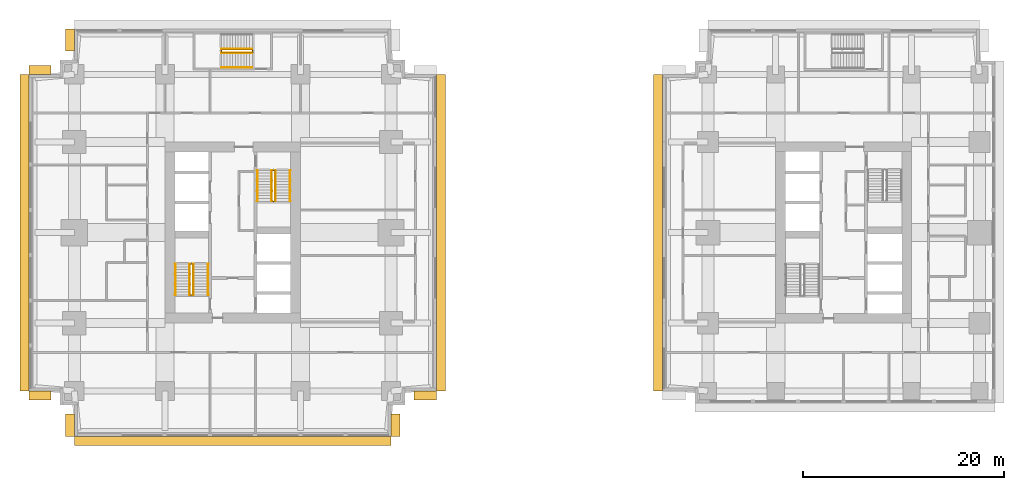
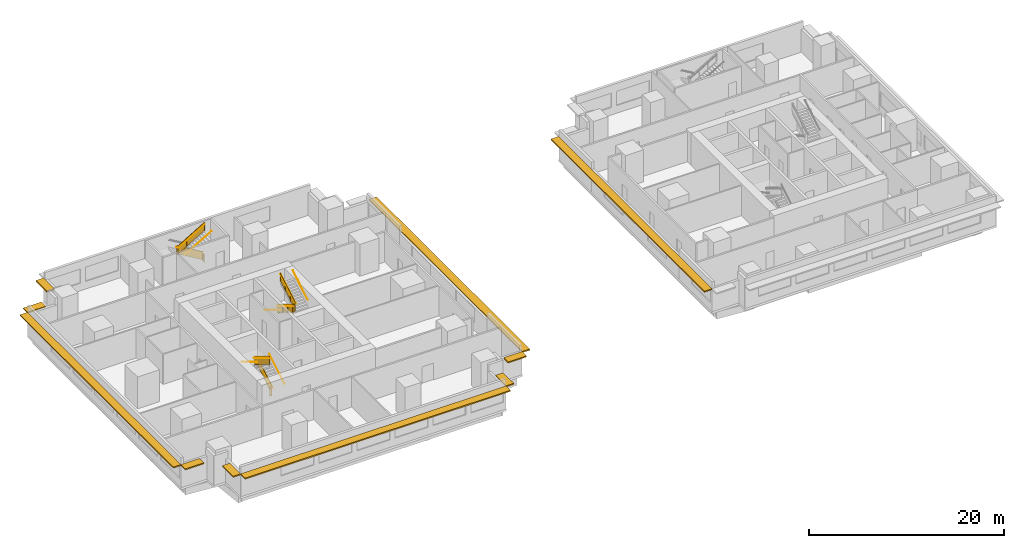
# One storey, part 9 of 11: 14 railings, 10 shading devices.
"""IFC4 building model written with IfcOpenShell, lengths in metres."""

from ifc_helpers import new_model, si_unit, direction, frame, origin, origin_2d, place, context, subcontext, project, spatial, polyline, rectangle, circle, outline, extrude, material, layer, layer_set, type_object, element, save


model = new_model("IFC4")

# Units and contexts
model_context = context("Model", 3, precision=1e-05, world=origin(), true_north=direction((0.0, 1.0)))
body_context = subcontext(model_context, "Body", "Model", "MODEL_VIEW")
ifc_project = project(units=[si_unit("LENGTHUNIT", "METRE"), si_unit("AREAUNIT", "SQUARE_METRE"), si_unit("VOLUMEUNIT", "CUBIC_METRE"), si_unit("PLANEANGLEUNIT", "RADIAN"), si_unit("MASSUNIT", "GRAM", prefix="KILO")], contexts=[model_context])

# Site, building, storey
site_placement = place(None, origin())
site = spatial("IfcSite", under=ifc_project, at=site_placement, CompositionType="ELEMENT")
building_placement = place(site_placement, origin())
building = spatial("IfcBuilding", under=site, at=building_placement, Name="Namib Vertical Campus", CompositionType="ELEMENT")
storey_placement = place(building_placement, frame((0.0, 0.0, 101.0)))
storey = spatial("IfcBuildingStorey", under=building, at=storey_placement, Name="L23", CompositionType="ELEMENT", Elevation=101.0)

# Railings
ifc_material_1 = material(Name="Steel handrail", Category="steel")
railing_type_1 = type_object("IfcRailingType", Name="Handrail 900", PredefinedType="HANDRAIL", material=ifc_material_1)
railing_1_placement = place(storey_placement, frame((17.800048828125, 14.050048828125, 0.166748046875)))
element("IfcRailing", 1, at=railing_1_placement, inside=storey, type_object=railing_type_1, Name="Handrail HR1 A-S1 L23 1", PredefinedType="HANDRAIL", context=body_context, shape_type="SweptSolid", body=[
    extrude(circle(Radius=0.02392578125, at=origin_2d()), frame((0.0, 0.0, 0.8759765625), z_axis=(0.0, 0.859290745958, 0.51148745235), x_axis=(-1.0, 0.0, 0.0)), (0.0, 0.0, 1.0), 3.584228515625),
    extrude(circle(Radius=0.008056640625, at=origin_2d()), frame((0.0, 0.0, 0.8759765625), z_axis=(1.0, 0.0, 0.0), x_axis=(0.0, 0.0, 1.0)), (0.0, 0.0, 1.0), 0.050048828125),
    extrude(circle(Radius=0.008056640625, at=origin_2d()), frame((0.0, 1.026611328125, 1.48681640625), z_axis=(1.0, 0.0, 0.0), x_axis=(0.0, 0.0, 1.0)), (0.0, 0.0, 1.0), 0.050048828125),
    extrude(circle(Radius=0.008056640625, at=origin_2d()), frame((0.0, 2.05322265625, 2.09814453125), z_axis=(1.0, 0.0, 0.0), x_axis=(0.0, 0.0, 1.0)), (0.0, 0.0, 1.0), 0.050048828125),
    extrude(circle(Radius=0.008056640625, at=origin_2d()), frame((0.0, 3.079833984375, 2.708984375), z_axis=(1.0, 0.0, 0.0), x_axis=(0.0, 0.0, 1.0)), (0.0, 0.0, 1.0), 0.050048828125),
])
railing_2_placement = place(storey_placement, frame((14.550048828125, 17.1298828125, 2.166748046875)))
element("IfcRailing", 2, at=railing_2_placement, inside=storey, type_object=railing_type_1, Name="Handrail HR1 A-S1 L23 2", PredefinedType="HANDRAIL", context=body_context, shape_type="SweptSolid", body=[
    extrude(circle(Radius=0.02392578125, at=origin_2d()), frame((0.0, 0.0, 0.8759765625), z_axis=(0.0, -0.859290745958, 0.51148745235), x_axis=(1.0, 0.0, 0.0)), (0.0, 0.0, 1.0), 3.584228515625),
    extrude(circle(Radius=0.008056640625, at=origin_2d()), frame((0.0, 0.0, 0.8759765625), z_axis=(-1.0, 0.0, 0.0), x_axis=(0.0, 0.0, 1.0)), (0.0, 0.0, 1.0), 0.050048828125),
    extrude(circle(Radius=0.008056640625, at=origin_2d()), frame((0.0, -1.026611328125, 1.48681640625), z_axis=(-1.0, 0.0, 0.0), x_axis=(0.0, 0.0, 1.0)), (0.0, 0.0, 1.0), 0.050048828125),
    extrude(circle(Radius=0.008056640625, at=origin_2d()), frame((0.0, -2.05322265625, 2.09814453125), z_axis=(-1.0, 0.0, 0.0), x_axis=(0.0, 0.0, 1.0)), (0.0, 0.0, 1.0), 0.050048828125),
    extrude(circle(Radius=0.008056640625, at=origin_2d()), frame((0.0, -3.079833984375, 2.708984375), z_axis=(-1.0, 0.0, 0.0), x_axis=(0.0, 0.0, 1.0)), (0.0, 0.0, 1.0), 0.050048828125),
])
railing_3_placement = place(storey_placement, frame((16.375, 14.050048828125, 0.166748046875)))
element("IfcRailing", 3, at=railing_3_placement, inside=storey, type_object=railing_type_1, Name="Handrail HR1 A-S1 L23 1 at the well", PredefinedType="HANDRAIL", context=body_context, shape_type="SweptSolid", body=[
    extrude(circle(Radius=0.02392578125, at=origin_2d()), frame((0.0, 0.0, 0.8759765625), z_axis=(0.0, 0.859290745958, 0.51148745235), x_axis=(-1.0, 0.0, 0.0)), (0.0, 0.0, 1.0), 3.584228515625),
    extrude(circle(Radius=0.008056640625, at=origin_2d()), frame((0.0, 0.0, 0.8759765625), z_axis=(-1.0, 0.0, 0.0), x_axis=(0.0, 0.0, 1.0)), (0.0, 0.0, 1.0), 0.0400390625),
    extrude(circle(Radius=0.008056640625, at=origin_2d()), frame((0.0, 1.026611328125, 1.48681640625), z_axis=(-1.0, 0.0, 0.0), x_axis=(0.0, 0.0, 1.0)), (0.0, 0.0, 1.0), 0.0400390625),
    extrude(circle(Radius=0.008056640625, at=origin_2d()), frame((0.0, 2.05322265625, 2.09814453125), z_axis=(-1.0, 0.0, 0.0), x_axis=(0.0, 0.0, 1.0)), (0.0, 0.0, 1.0), 0.0400390625),
    extrude(circle(Radius=0.008056640625, at=origin_2d()), frame((0.0, 3.079833984375, 2.708984375), z_axis=(-1.0, 0.0, 0.0), x_axis=(0.0, 0.0, 1.0)), (0.0, 0.0, 1.0), 0.0400390625),
])
railing_4_placement = place(storey_placement, frame((15.97509765625, 17.1298828125, 2.166748046875)))
element("IfcRailing", 4, at=railing_4_placement, inside=storey, type_object=railing_type_1, Name="Handrail HR1 A-S1 L23 2 at the well", PredefinedType="HANDRAIL", context=body_context, shape_type="SweptSolid", body=[
    extrude(circle(Radius=0.02392578125, at=origin_2d()), frame((0.0, 0.0, 0.8759765625), z_axis=(0.0, -0.859290745958, 0.51148745235), x_axis=(1.0, 0.0, 0.0)), (0.0, 0.0, 1.0), 3.584228515625),
    extrude(circle(Radius=0.008056640625, at=origin_2d()), frame((0.0, 0.0, 0.8759765625), z_axis=(1.0, 0.0, 0.0), x_axis=(0.0, 0.0, 1.0)), (0.0, 0.0, 1.0), 0.0400390625),
    extrude(circle(Radius=0.008056640625, at=origin_2d()), frame((0.0, -1.026611328125, 1.48681640625), z_axis=(1.0, 0.0, 0.0), x_axis=(0.0, 0.0, 1.0)), (0.0, 0.0, 1.0), 0.0400390625),
    extrude(circle(Radius=0.008056640625, at=origin_2d()), frame((0.0, -2.05322265625, 2.09814453125), z_axis=(1.0, 0.0, 0.0), x_axis=(0.0, 0.0, 1.0)), (0.0, 0.0, 1.0), 0.0400390625),
    extrude(circle(Radius=0.008056640625, at=origin_2d()), frame((0.0, -3.079833984375, 2.708984375), z_axis=(1.0, 0.0, 0.0), x_axis=(0.0, 0.0, 1.0)), (0.0, 0.0, 1.0), 0.0400390625),
])
railing_5_placement = place(storey_placement, frame((22.699951171875, 26.449951171875, 0.166748046875)))
element("IfcRailing", 5, at=railing_5_placement, inside=storey, type_object=railing_type_1, Name="Handrail HR1 A-S2 L23 1", PredefinedType="HANDRAIL", context=body_context, shape_type="SweptSolid", body=[
    extrude(circle(Radius=0.02392578125, at=origin_2d()), frame((0.0, 0.0, 0.8759765625), z_axis=(0.0, -0.859290745958, 0.51148745235), x_axis=(1.0, 0.0, 0.0)), (0.0, 0.0, 1.0), 3.584228515625),
    extrude(circle(Radius=0.008056640625, at=origin_2d()), frame((0.0, 0.0, 0.8759765625), z_axis=(-1.0, 0.0, 0.0), x_axis=(0.0, 0.0, 1.0)), (0.0, 0.0, 1.0), 0.050048828125),
    extrude(circle(Radius=0.008056640625, at=origin_2d()), frame((0.0, -1.026611328125, 1.48681640625), z_axis=(-1.0, 0.0, 0.0), x_axis=(0.0, 0.0, 1.0)), (0.0, 0.0, 1.0), 0.050048828125),
    extrude(circle(Radius=0.008056640625, at=origin_2d()), frame((0.0, -2.05322265625, 2.09814453125), z_axis=(-1.0, 0.0, 0.0), x_axis=(0.0, 0.0, 1.0)), (0.0, 0.0, 1.0), 0.050048828125),
    extrude(circle(Radius=0.008056640625, at=origin_2d()), frame((0.0, -3.079833984375, 2.708984375), z_axis=(-1.0, 0.0, 0.0), x_axis=(0.0, 0.0, 1.0)), (0.0, 0.0, 1.0), 0.050048828125),
])
railing_6_placement = place(storey_placement, frame((25.949951171875, 23.3701171875, 2.166748046875)))
element("IfcRailing", 6, at=railing_6_placement, inside=storey, type_object=railing_type_1, Name="Handrail HR1 A-S2 L23 2", PredefinedType="HANDRAIL", context=body_context, shape_type="SweptSolid", body=[
    extrude(circle(Radius=0.02392578125, at=origin_2d()), frame((0.0, 0.0, 0.8759765625), z_axis=(0.0, 0.859290745958, 0.51148745235), x_axis=(-1.0, 0.0, 0.0)), (0.0, 0.0, 1.0), 3.584228515625),
    extrude(circle(Radius=0.008056640625, at=origin_2d()), frame((0.0, 0.0, 0.8759765625), z_axis=(1.0, 0.0, 0.0), x_axis=(0.0, 0.0, 1.0)), (0.0, 0.0, 1.0), 0.050048828125),
    extrude(circle(Radius=0.008056640625, at=origin_2d()), frame((0.0, 1.026611328125, 1.48681640625), z_axis=(1.0, 0.0, 0.0), x_axis=(0.0, 0.0, 1.0)), (0.0, 0.0, 1.0), 0.050048828125),
    extrude(circle(Radius=0.008056640625, at=origin_2d()), frame((0.0, 2.05322265625, 2.09814453125), z_axis=(1.0, 0.0, 0.0), x_axis=(0.0, 0.0, 1.0)), (0.0, 0.0, 1.0), 0.050048828125),
    extrude(circle(Radius=0.008056640625, at=origin_2d()), frame((0.0, 3.079833984375, 2.708984375), z_axis=(1.0, 0.0, 0.0), x_axis=(0.0, 0.0, 1.0)), (0.0, 0.0, 1.0), 0.050048828125),
])
railing_7_placement = place(storey_placement, frame((24.125, 26.449951171875, 0.166748046875)))
element("IfcRailing", 7, at=railing_7_placement, inside=storey, type_object=railing_type_1, Name="Handrail HR1 A-S2 L23 1 at the well", PredefinedType="HANDRAIL", context=body_context, shape_type="SweptSolid", body=[
    extrude(circle(Radius=0.02392578125, at=origin_2d()), frame((0.0, 0.0, 0.8759765625), z_axis=(0.0, -0.859290745958, 0.51148745235), x_axis=(1.0, 0.0, 0.0)), (0.0, 0.0, 1.0), 3.584228515625),
    extrude(circle(Radius=0.008056640625, at=origin_2d()), frame((0.0, 0.0, 0.8759765625), z_axis=(1.0, 0.0, 0.0), x_axis=(0.0, 0.0, 1.0)), (0.0, 0.0, 1.0), 0.0400390625),
    extrude(circle(Radius=0.008056640625, at=origin_2d()), frame((0.0, -1.026611328125, 1.48681640625), z_axis=(1.0, 0.0, 0.0), x_axis=(0.0, 0.0, 1.0)), (0.0, 0.0, 1.0), 0.0400390625),
    extrude(circle(Radius=0.008056640625, at=origin_2d()), frame((0.0, -2.05322265625, 2.09814453125), z_axis=(1.0, 0.0, 0.0), x_axis=(0.0, 0.0, 1.0)), (0.0, 0.0, 1.0), 0.0400390625),
    extrude(circle(Radius=0.008056640625, at=origin_2d()), frame((0.0, -3.079833984375, 2.708984375), z_axis=(1.0, 0.0, 0.0), x_axis=(0.0, 0.0, 1.0)), (0.0, 0.0, 1.0), 0.0400390625),
])
railing_8_placement = place(storey_placement, frame((24.52490234375, 23.3701171875, 2.166748046875)))
element("IfcRailing", 8, at=railing_8_placement, inside=storey, type_object=railing_type_1, Name="Handrail HR1 A-S2 L23 2 at the well", PredefinedType="HANDRAIL", context=body_context, shape_type="SweptSolid", body=[
    extrude(circle(Radius=0.02392578125, at=origin_2d()), frame((0.0, 0.0, 0.8759765625), z_axis=(0.0, 0.859290745958, 0.51148745235), x_axis=(-1.0, 0.0, 0.0)), (0.0, 0.0, 1.0), 3.584228515625),
    extrude(circle(Radius=0.008056640625, at=origin_2d()), frame((0.0, 0.0, 0.8759765625), z_axis=(-1.0, 0.0, 0.0), x_axis=(0.0, 0.0, 1.0)), (0.0, 0.0, 1.0), 0.0400390625),
    extrude(circle(Radius=0.008056640625, at=origin_2d()), frame((0.0, 1.026611328125, 1.48681640625), z_axis=(-1.0, 0.0, 0.0), x_axis=(0.0, 0.0, 1.0)), (0.0, 0.0, 1.0), 0.0400390625),
    extrude(circle(Radius=0.008056640625, at=origin_2d()), frame((0.0, 2.05322265625, 2.09814453125), z_axis=(-1.0, 0.0, 0.0), x_axis=(0.0, 0.0, 1.0)), (0.0, 0.0, 1.0), 0.0400390625),
    extrude(circle(Radius=0.008056640625, at=origin_2d()), frame((0.0, 3.079833984375, 2.708984375), z_axis=(-1.0, 0.0, 0.0), x_axis=(0.0, 0.0, 1.0)), (0.0, 0.0, 1.0), 0.0400390625),
])
railing_9_placement = place(storey_placement, frame((19.1201171875, 36.699951171875, 2.166748046875)))
element("IfcRailing", 9, at=railing_9_placement, inside=storey, type_object=railing_type_1, Name="Handrail HR1 A-S3 L23 2", PredefinedType="HANDRAIL", context=body_context, shape_type="SweptSolid", body=[
    extrude(circle(Radius=0.02392578125, at=origin_2d()), frame((0.0, 0.0, 0.8759765625), z_axis=(0.859290745958, 0.0, 0.51148745235), x_axis=(0.0, 1.0, 0.0)), (0.0, 0.0, 1.0), 3.584228515625),
    extrude(circle(Radius=0.008056640625, at=origin_2d()), frame((0.0, 0.0, 0.8759765625), z_axis=(0.0, -1.0, 0.0), x_axis=(0.0, 0.0, 1.0)), (0.0, 0.0, 1.0), 0.050048828125),
    extrude(circle(Radius=0.008056640625, at=origin_2d()), frame((1.026611328125, 0.0, 1.48681640625), z_axis=(0.0, -1.0, 0.0), x_axis=(0.0, 0.0, 1.0)), (0.0, 0.0, 1.0), 0.050048828125),
    extrude(circle(Radius=0.008056640625, at=origin_2d()), frame((2.05322265625, 0.0, 2.09814453125), z_axis=(0.0, -1.0, 0.0), x_axis=(0.0, 0.0, 1.0)), (0.0, 0.0, 1.0), 0.050048828125),
    extrude(circle(Radius=0.008056640625, at=origin_2d()), frame((3.079833984375, 0.0, 2.708984375), z_axis=(0.0, -1.0, 0.0), x_axis=(0.0, 0.0, 1.0)), (0.0, 0.0, 1.0), 0.050048828125),
])
railing_10_placement = place(storey_placement, frame((22.199951171875, 38.52490234375, 0.166748046875)))
element("IfcRailing", 10, at=railing_10_placement, inside=storey, type_object=railing_type_1, Name="Handrail HR1 A-S3 L23 1 at the well", PredefinedType="HANDRAIL", context=body_context, shape_type="SweptSolid", body=[
    extrude(circle(Radius=0.02392578125, at=origin_2d()), frame((0.0, 0.0, 0.8759765625), z_axis=(-0.859290745958, 0.0, 0.51148745235), x_axis=(0.0, -1.0, 0.0)), (0.0, 0.0, 1.0), 3.584228515625),
    extrude(circle(Radius=0.008056640625, at=origin_2d()), frame((0.0, 0.0, 0.8759765625), z_axis=(0.0, -1.0, 0.0), x_axis=(0.0, 0.0, 1.0)), (0.0, 0.0, 1.0), 0.0400390625),
    extrude(circle(Radius=0.008056640625, at=origin_2d()), frame((-1.026611328125, 0.0, 1.48681640625), z_axis=(0.0, -1.0, 0.0), x_axis=(0.0, 0.0, 1.0)), (0.0, 0.0, 1.0), 0.0400390625),
    extrude(circle(Radius=0.008056640625, at=origin_2d()), frame((-2.05322265625, 0.0, 2.09814453125), z_axis=(0.0, -1.0, 0.0), x_axis=(0.0, 0.0, 1.0)), (0.0, 0.0, 1.0), 0.0400390625),
    extrude(circle(Radius=0.008056640625, at=origin_2d()), frame((-3.079833984375, 0.0, 2.708984375), z_axis=(0.0, -1.0, 0.0), x_axis=(0.0, 0.0, 1.0)), (0.0, 0.0, 1.0), 0.0400390625),
])
railing_11_placement = place(storey_placement, frame((19.1201171875, 38.125, 2.166748046875)))
element("IfcRailing", 11, at=railing_11_placement, inside=storey, type_object=railing_type_1, Name="Handrail HR1 A-S3 L23 2 at the well", PredefinedType="HANDRAIL", context=body_context, shape_type="SweptSolid", body=[
    extrude(circle(Radius=0.02392578125, at=origin_2d()), frame((0.0, 0.0, 0.8759765625), z_axis=(0.859290745958, 0.0, 0.51148745235), x_axis=(0.0, 1.0, 0.0)), (0.0, 0.0, 1.0), 3.584228515625),
    extrude(circle(Radius=0.008056640625, at=origin_2d()), frame((0.0, 0.0, 0.8759765625), z_axis=(0.0, 1.0, 0.0), x_axis=(0.0, 0.0, 1.0)), (0.0, 0.0, 1.0), 0.0400390625),
    extrude(circle(Radius=0.008056640625, at=origin_2d()), frame((1.026611328125, 0.0, 1.48681640625), z_axis=(0.0, 1.0, 0.0), x_axis=(0.0, 0.0, 1.0)), (0.0, 0.0, 1.0), 0.0400390625),
    extrude(circle(Radius=0.008056640625, at=origin_2d()), frame((2.05322265625, 0.0, 2.09814453125), z_axis=(0.0, 1.0, 0.0), x_axis=(0.0, 0.0, 1.0)), (0.0, 0.0, 1.0), 0.0400390625),
    extrude(circle(Radius=0.008056640625, at=origin_2d()), frame((3.079833984375, 0.0, 2.708984375), z_axis=(0.0, 1.0, 0.0), x_axis=(0.0, 0.0, 1.0)), (0.0, 0.0, 1.0), 0.0400390625),
])
ifc_material_2 = material(Name="Steel balustrade", Category="steel")
railing_type_2 = type_object("IfcRailingType", Name="Stair guard 1100", PredefinedType="GUARDRAIL", material=ifc_material_2)
railing_12_placement = place(storey_placement, frame((16.02490234375, 14.050048828125, 0.0)))
element("IfcRailing", 12, at=railing_12_placement, inside=storey, type_object=railing_type_2, Name="Stair guard GR1 A-S1 L23", PredefinedType="GUARDRAIL", context=body_context, shape_type="SweptSolid", body=[
    extrude(circle(Radius=0.02392578125, at=origin_2d()), frame((0.0, 0.0, 1.076171875), z_axis=(1.0, 0.0, 0.0), x_axis=(0.0, 1.0, 0.0)), (0.0, 0.0, 1.0), 0.300048828125),
    extrude(outline(polyline([(0.02099609375, 0.050048828125), (0.279052734375, 0.050048828125), (0.279052734375, 1.052001953125), (0.02099609375, 1.052001953125), (0.02099609375, 0.050048828125)])), frame((0.0, 0.010009765625, 0.0), z_axis=(0.0, -1.0, 0.0), x_axis=(1.0, 0.0, 0.0)), (0.0, 0.0, 1.0), 0.02001953125),
    extrude(circle(Radius=0.02392578125, at=origin_2d()), frame((0.300048828125, 0.0, 1.076171875), z_axis=(0.0, 0.0, 1.0), x_axis=(1.0, 0.0, 0.0)), (0.0, 0.0, 1.0), 0.166748046875),
    extrude(circle(Radius=0.02392578125, at=origin_2d()), frame((0.300048828125, 0.0, 1.24267578125), z_axis=(0.0, 0.859290745958, 0.51148745235), x_axis=(-1.0, 0.0, 0.0)), (0.0, 0.0, 1.0), 3.584228515625),
    extrude(outline(polyline([(0.02099609375, 0.0625), (3.058837890625, 1.870849609375), (3.058837890625, 2.872802734375), (0.02099609375, 1.064453125), (0.02099609375, 0.0625)])), frame((0.2900390625, 0.0, 0.166748046875), z_axis=(1.0, 0.0, 0.0), x_axis=(0.0, 1.0, 0.0)), (0.0, 0.0, 1.0), 0.02001953125),
    extrude(circle(Radius=0.02392578125, at=origin_2d()), frame((0.300048828125, 3.079833984375, 3.076171875), z_axis=(-1.0, 0.0, 0.0), x_axis=(0.0, -1.0, 0.0)), (0.0, 0.0, 1.0), 0.300048828125),
    extrude(outline(polyline([(0.02099609375, 0.050048828125), (0.279052734375, 0.050048828125), (0.279052734375, 1.052001953125), (0.02099609375, 1.052001953125), (0.02099609375, 0.050048828125)])), frame((0.300048828125, 3.06982421875, 2.0), z_axis=(0.0, 1.0, 0.0), x_axis=(-1.0, 0.0, 0.0)), (0.0, 0.0, 1.0), 0.02001953125),
    extrude(circle(Radius=0.02392578125, at=origin_2d()), frame((0.0, 3.079833984375, 3.076171875), z_axis=(0.0, 0.0, 1.0), x_axis=(1.0, 0.0, 0.0)), (0.0, 0.0, 1.0), 0.166748046875),
    extrude(circle(Radius=0.02392578125, at=origin_2d()), frame((0.0, 3.079833984375, 3.24267578125), z_axis=(0.0, -0.859290745958, 0.51148745235), x_axis=(1.0, 0.0, 0.0)), (0.0, 0.0, 1.0), 3.584228515625),
    extrude(outline(polyline([(0.02099609375, 0.0625), (3.058837890625, 1.870849609375), (3.058837890625, 2.872802734375), (0.02099609375, 1.064453125), (0.02099609375, 0.0625)])), frame((0.010009765625, 3.079833984375, 2.166748046875), z_axis=(-1.0, 0.0, 0.0), x_axis=(0.0, -1.0, 0.0)), (0.0, 0.0, 1.0), 0.02001953125),
    extrude(circle(Radius=0.02392578125, at=origin_2d()), frame((0.0, 0.0, 5.076171875), z_axis=(0.0, -1.0, 0.0), x_axis=(1.0, 0.0, 0.0)), (0.0, 0.0, 1.0), 0.050048828125),
    extrude(outline(polyline([(0.02099609375, 0.050048828125), (0.029052734375, 0.050048828125), (0.029052734375, 1.052001953125), (0.02099609375, 1.052001953125), (0.02099609375, 0.050048828125)])), frame((0.010009765625, 0.0, 4.0), z_axis=(-1.0, 0.0, 0.0), x_axis=(0.0, -1.0, 0.0)), (0.0, 0.0, 1.0), 0.02001953125),
    extrude(circle(Radius=0.02099609375, at=origin_2d()), origin(), (0.0, 0.0, 1.0), 1.052001953125),
    extrude(circle(Radius=0.02099609375, at=origin_2d()), frame((0.300048828125, 0.0, 0.166748046875)), (0.0, 0.0, 1.0), 1.052001953125),
    extrude(circle(Radius=0.02099609375, at=origin_2d()), frame((0.300048828125, 1.026611328125, 0.666748046875)), (0.0, 0.0, 1.0), 1.1630859375),
    extrude(circle(Radius=0.02099609375, at=origin_2d()), frame((0.300048828125, 2.05322265625, 1.33349609375)), (0.0, 0.0, 1.0), 1.107421875),
    extrude(circle(Radius=0.02099609375, at=origin_2d()), frame((0.300048828125, 3.079833984375, 2.0)), (0.0, 0.0, 1.0), 1.052001953125),
    extrude(circle(Radius=0.02099609375, at=origin_2d()), frame((0.0, 3.079833984375, 2.166748046875)), (0.0, 0.0, 1.0), 1.052001953125),
    extrude(circle(Radius=0.02099609375, at=origin_2d()), frame((0.0, 2.05322265625, 2.666748046875)), (0.0, 0.0, 1.0), 1.1630859375),
    extrude(circle(Radius=0.02099609375, at=origin_2d()), frame((0.0, 1.026611328125, 3.33349609375)), (0.0, 0.0, 1.0), 1.107421875),
    extrude(circle(Radius=0.02099609375, at=origin_2d()), frame((0.0, 0.0, 4.0)), (0.0, 0.0, 1.0), 1.052001953125),
    extrude(circle(Radius=0.02099609375, at=origin_2d()), frame((0.0, -0.050048828125, 4.0)), (0.0, 0.0, 1.0), 1.052001953125),
])
railing_13_placement = place(storey_placement, frame((24.47509765625, 26.449951171875, 0.0)))
element("IfcRailing", 13, at=railing_13_placement, inside=storey, type_object=railing_type_2, Name="Stair guard GR1 A-S2 L23", PredefinedType="GUARDRAIL", context=body_context, shape_type="SweptSolid", body=[
    extrude(circle(Radius=0.02392578125, at=origin_2d()), frame((0.0, 0.0, 1.076171875), z_axis=(-1.0, 0.0, 0.0), x_axis=(0.0, -1.0, 0.0)), (0.0, 0.0, 1.0), 0.300048828125),
    extrude(outline(polyline([(0.02099609375, 0.050048828125), (0.279052734375, 0.050048828125), (0.279052734375, 1.052001953125), (0.02099609375, 1.052001953125), (0.02099609375, 0.050048828125)])), frame((0.0, -0.010009765625, 0.0), z_axis=(0.0, 1.0, 0.0), x_axis=(-1.0, 0.0, 0.0)), (0.0, 0.0, 1.0), 0.02001953125),
    extrude(circle(Radius=0.02392578125, at=origin_2d()), frame((-0.300048828125, 0.0, 1.076171875), z_axis=(0.0, 0.0, 1.0), x_axis=(1.0, 0.0, 0.0)), (0.0, 0.0, 1.0), 0.166748046875),
    extrude(circle(Radius=0.02392578125, at=origin_2d()), frame((-0.300048828125, 0.0, 1.24267578125), z_axis=(0.0, -0.859290745958, 0.51148745235), x_axis=(1.0, 0.0, 0.0)), (0.0, 0.0, 1.0), 3.584228515625),
    extrude(outline(polyline([(0.02099609375, 0.0625), (3.058837890625, 1.870849609375), (3.058837890625, 2.872802734375), (0.02099609375, 1.064453125), (0.02099609375, 0.0625)])), frame((-0.2900390625, 0.0, 0.166748046875), z_axis=(-1.0, 0.0, 0.0), x_axis=(0.0, -1.0, 0.0)), (0.0, 0.0, 1.0), 0.02001953125),
    extrude(circle(Radius=0.02392578125, at=origin_2d()), frame((-0.300048828125, -3.079833984375, 3.076171875), z_axis=(1.0, 0.0, 0.0), x_axis=(0.0, 1.0, 0.0)), (0.0, 0.0, 1.0), 0.300048828125),
    extrude(outline(polyline([(0.02099609375, 0.050048828125), (0.279052734375, 0.050048828125), (0.279052734375, 1.052001953125), (0.02099609375, 1.052001953125), (0.02099609375, 0.050048828125)])), frame((-0.300048828125, -3.06982421875, 2.0), z_axis=(0.0, -1.0, 0.0), x_axis=(1.0, 0.0, 0.0)), (0.0, 0.0, 1.0), 0.02001953125),
    extrude(circle(Radius=0.02392578125, at=origin_2d()), frame((0.0, -3.079833984375, 3.076171875), z_axis=(0.0, 0.0, 1.0), x_axis=(1.0, 0.0, 0.0)), (0.0, 0.0, 1.0), 0.166748046875),
    extrude(circle(Radius=0.02392578125, at=origin_2d()), frame((0.0, -3.079833984375, 3.24267578125), z_axis=(0.0, 0.859290745958, 0.51148745235), x_axis=(-1.0, 0.0, 0.0)), (0.0, 0.0, 1.0), 3.584228515625),
    extrude(outline(polyline([(0.02099609375, 0.0625), (3.058837890625, 1.870849609375), (3.058837890625, 2.872802734375), (0.02099609375, 1.064453125), (0.02099609375, 0.0625)])), frame((-0.010009765625, -3.079833984375, 2.166748046875), z_axis=(1.0, 0.0, 0.0), x_axis=(0.0, 1.0, 0.0)), (0.0, 0.0, 1.0), 0.02001953125),
    extrude(circle(Radius=0.02392578125, at=origin_2d()), frame((0.0, 0.0, 5.076171875), z_axis=(0.0, 1.0, 0.0), x_axis=(-1.0, 0.0, 0.0)), (0.0, 0.0, 1.0), 0.050048828125),
    extrude(outline(polyline([(0.02099609375, 0.050048828125), (0.029052734375, 0.050048828125), (0.029052734375, 1.052001953125), (0.02099609375, 1.052001953125), (0.02099609375, 0.050048828125)])), frame((-0.010009765625, 0.0, 4.0), z_axis=(1.0, 0.0, 0.0), x_axis=(0.0, 1.0, 0.0)), (0.0, 0.0, 1.0), 0.02001953125),
    extrude(circle(Radius=0.02099609375, at=origin_2d()), origin(), (0.0, 0.0, 1.0), 1.052001953125),
    extrude(circle(Radius=0.02099609375, at=origin_2d()), frame((-0.300048828125, 0.0, 0.166748046875)), (0.0, 0.0, 1.0), 1.052001953125),
    extrude(circle(Radius=0.02099609375, at=origin_2d()), frame((-0.300048828125, -1.026611328125, 0.666748046875)), (0.0, 0.0, 1.0), 1.1630859375),
    extrude(circle(Radius=0.02099609375, at=origin_2d()), frame((-0.300048828125, -2.05322265625, 1.33349609375)), (0.0, 0.0, 1.0), 1.107421875),
    extrude(circle(Radius=0.02099609375, at=origin_2d()), frame((-0.300048828125, -3.079833984375, 2.0)), (0.0, 0.0, 1.0), 1.052001953125),
    extrude(circle(Radius=0.02099609375, at=origin_2d()), frame((0.0, -3.079833984375, 2.166748046875)), (0.0, 0.0, 1.0), 1.052001953125),
    extrude(circle(Radius=0.02099609375, at=origin_2d()), frame((0.0, -2.05322265625, 2.666748046875)), (0.0, 0.0, 1.0), 1.1630859375),
    extrude(circle(Radius=0.02099609375, at=origin_2d()), frame((0.0, -1.026611328125, 3.33349609375)), (0.0, 0.0, 1.0), 1.107421875),
    extrude(circle(Radius=0.02099609375, at=origin_2d()), frame((0.0, 0.0, 4.0)), (0.0, 0.0, 1.0), 1.052001953125),
    extrude(circle(Radius=0.02099609375, at=origin_2d()), frame((0.0, 0.050048828125, 4.0)), (0.0, 0.0, 1.0), 1.052001953125),
])
railing_14_placement = place(storey_placement, frame((22.199951171875, 38.175048828125, 0.0)))
element("IfcRailing", 14, at=railing_14_placement, inside=storey, type_object=railing_type_2, Name="Stair guard GR1 A-S3 L23", PredefinedType="GUARDRAIL", context=body_context, shape_type="SweptSolid", body=[
    extrude(circle(Radius=0.02392578125, at=origin_2d()), frame((0.0, 0.0, 1.076171875), z_axis=(0.0, 1.0, 0.0), x_axis=(-1.0, 0.0, 0.0)), (0.0, 0.0, 1.0), 0.300048828125),
    extrude(outline(polyline([(0.02099609375, 0.050048828125), (0.279052734375, 0.050048828125), (0.279052734375, 1.052001953125), (0.02099609375, 1.052001953125), (0.02099609375, 0.050048828125)])), frame((-0.010009765625, 0.0, 0.0), z_axis=(1.0, 0.0, 0.0), x_axis=(0.0, 1.0, 0.0)), (0.0, 0.0, 1.0), 0.02001953125),
    extrude(circle(Radius=0.02392578125, at=origin_2d()), frame((0.0, 0.300048828125, 1.076171875), z_axis=(0.0, 0.0, 1.0), x_axis=(1.0, 0.0, 0.0)), (0.0, 0.0, 1.0), 0.166748046875),
    extrude(circle(Radius=0.02392578125, at=origin_2d()), frame((0.0, 0.300048828125, 1.24267578125), z_axis=(-0.859290745958, 0.0, 0.51148745235), x_axis=(0.0, -1.0, 0.0)), (0.0, 0.0, 1.0), 3.584228515625),
    extrude(outline(polyline([(0.02099609375, 0.0625), (3.058837890625, 1.870849609375), (3.058837890625, 2.872802734375), (0.02099609375, 1.064453125), (0.02099609375, 0.0625)])), frame((0.0, 0.2900390625, 0.166748046875), z_axis=(0.0, 1.0, 0.0), x_axis=(-1.0, 0.0, 0.0)), (0.0, 0.0, 1.0), 0.02001953125),
    extrude(circle(Radius=0.02392578125, at=origin_2d()), frame((-3.079833984375, 0.300048828125, 3.076171875), z_axis=(0.0, -1.0, 0.0), x_axis=(1.0, 0.0, 0.0)), (0.0, 0.0, 1.0), 0.300048828125),
    extrude(outline(polyline([(0.02099609375, 0.050048828125), (0.279052734375, 0.050048828125), (0.279052734375, 1.052001953125), (0.02099609375, 1.052001953125), (0.02099609375, 0.050048828125)])), frame((-3.06982421875, 0.300048828125, 2.0), z_axis=(-1.0, 0.0, 0.0), x_axis=(0.0, -1.0, 0.0)), (0.0, 0.0, 1.0), 0.02001953125),
    extrude(circle(Radius=0.02392578125, at=origin_2d()), frame((-3.079833984375, 0.0, 3.076171875), z_axis=(0.0, 0.0, 1.0), x_axis=(1.0, 0.0, 0.0)), (0.0, 0.0, 1.0), 0.166748046875),
    extrude(circle(Radius=0.02392578125, at=origin_2d()), frame((-3.079833984375, 0.0, 3.24267578125), z_axis=(0.859290745958, 0.0, 0.51148745235), x_axis=(0.0, 1.0, 0.0)), (0.0, 0.0, 1.0), 3.584228515625),
    extrude(outline(polyline([(0.02099609375, 0.0625), (3.058837890625, 1.870849609375), (3.058837890625, 2.872802734375), (0.02099609375, 1.064453125), (0.02099609375, 0.0625)])), frame((-3.079833984375, 0.010009765625, 2.166748046875), z_axis=(0.0, -1.0, 0.0), x_axis=(1.0, 0.0, 0.0)), (0.0, 0.0, 1.0), 0.02001953125),
    extrude(circle(Radius=0.02392578125, at=origin_2d()), frame((0.0, 0.0, 5.076171875), z_axis=(1.0, 0.0, 0.0), x_axis=(0.0, 1.0, 0.0)), (0.0, 0.0, 1.0), 0.050048828125),
    extrude(outline(polyline([(0.02099609375, 0.050048828125), (0.029052734375, 0.050048828125), (0.029052734375, 1.052001953125), (0.02099609375, 1.052001953125), (0.02099609375, 0.050048828125)])), frame((0.0, 0.010009765625, 4.0), z_axis=(0.0, -1.0, 0.0), x_axis=(1.0, 0.0, 0.0)), (0.0, 0.0, 1.0), 0.02001953125),
    extrude(circle(Radius=0.02099609375, at=origin_2d()), origin(), (0.0, 0.0, 1.0), 1.052001953125),
    extrude(circle(Radius=0.02099609375, at=origin_2d()), frame((0.0, 0.300048828125, 0.166748046875)), (0.0, 0.0, 1.0), 1.052001953125),
    extrude(circle(Radius=0.02099609375, at=origin_2d()), frame((-1.026611328125, 0.300048828125, 0.666748046875)), (0.0, 0.0, 1.0), 1.1630859375),
    extrude(circle(Radius=0.02099609375, at=origin_2d()), frame((-2.05322265625, 0.300048828125, 1.33349609375)), (0.0, 0.0, 1.0), 1.107421875),
    extrude(circle(Radius=0.02099609375, at=origin_2d()), frame((-3.079833984375, 0.300048828125, 2.0)), (0.0, 0.0, 1.0), 1.052001953125),
    extrude(circle(Radius=0.02099609375, at=origin_2d()), frame((-3.079833984375, 0.0, 2.166748046875)), (0.0, 0.0, 1.0), 1.052001953125),
    extrude(circle(Radius=0.02099609375, at=origin_2d()), frame((-2.05322265625, 0.0, 2.666748046875)), (0.0, 0.0, 1.0), 1.1630859375),
    extrude(circle(Radius=0.02099609375, at=origin_2d()), frame((-1.026611328125, 0.0, 3.33349609375)), (0.0, 0.0, 1.0), 1.107421875),
    extrude(circle(Radius=0.02099609375, at=origin_2d()), frame((0.0, 0.0, 4.0)), (0.0, 0.0, 1.0), 1.052001953125),
    extrude(circle(Radius=0.02099609375, at=origin_2d()), frame((0.050048828125, 0.0, 4.0)), (0.0, 0.0, 1.0), 1.052001953125),
])

# Shading devices
ifc_material_3 = material(Name="Concrete C40/50 precast", Category="concrete")
ifc_layer = layer(ifc_material_3, 0.14990234375)
ifc_layer_set = layer_set([ifc_layer], Name="Concrete C40/50 precast")
shading_device_type = type_object("IfcShadingDeviceType", Name="Sunshade hood 900", PredefinedType="SHUTTER", material=ifc_layer_set)
shading_device_1_placement = place(storey_placement, frame((20.25, -0.449951171875, 2.75), z_axis=(0.0, 0.0, 1.0), x_axis=(1.0, 0.0, 0.0)))
element("IfcShadingDevice", 15, at=shading_device_1_placement, inside=storey, type_object=shading_device_type, Name="Sunshade SH1 L23 1", PredefinedType="SHUTTER", context=body_context, shape_type="SweptSolid", body=[
    extrude(rectangle(XDim=31.5, YDim=0.89990234375, at=origin_2d()), origin(), (0.0, 0.0, 1.0), 0.14990234375),
])
for number, where, z_axis, x_axis, name in (
    (16, (36.449951171875, 1.10009765625, 2.75), (0.0, 0.0, 1.0), (0.0, 1.0, 0.0), "Sunshade SH1 L23 2"),
    (17, (39.39990234375, 4.050048828125, 2.75), (0.0, 0.0, 1.0), (1.0, 0.0, 0.0), "Sunshade SH1 L23 5"),
):
    element("IfcShadingDevice", number, at=place(storey_placement, frame(where, z_axis=z_axis, x_axis=x_axis)), inside=storey, type_object=shading_device_type, Name=name, PredefinedType="SHUTTER", context=body_context, shape_type="SweptSolid", body=[
        extrude(rectangle(XDim=2.199951171875, YDim=0.89990234375, at=origin_2d()), origin(), (0.0, 0.0, 1.0), 0.14990234375),
    ])
shading_device_2_placement = place(storey_placement, frame((40.949951171875, 20.25, 2.75), z_axis=(0.0, 0.0, 1.0), x_axis=(0.0, 1.0, 0.0)))
element("IfcShadingDevice", 18, at=shading_device_2_placement, inside=storey, type_object=shading_device_type, Name="Sunshade SH1 L23 6", PredefinedType="SHUTTER", context=body_context, shape_type="SweptSolid", body=[
    extrude(rectangle(XDim=31.5, YDim=0.89990234375, at=origin_2d()), origin(), (0.0, 0.0, 1.0), 0.14990234375),
])
for number, where, z_axis, x_axis, name in (
    (19, (4.050048828125, 39.39990234375, 2.75), (0.0, 0.0, 1.0), (0.0, -1.0, 0.0), "Sunshade SH1 L23 12"),
    (20, (1.10009765625, 36.449951171875, 2.75), (0.0, 0.0, 1.0), (-1.0, 0.0, 0.0), "Sunshade SH1 L23 15"),
):
    element("IfcShadingDevice", number, at=place(storey_placement, frame(where, z_axis=z_axis, x_axis=x_axis)), inside=storey, type_object=shading_device_type, Name=name, PredefinedType="SHUTTER", context=body_context, shape_type="SweptSolid", body=[
        extrude(rectangle(XDim=2.199951171875, YDim=0.89990234375, at=origin_2d()), origin(), (0.0, 0.0, 1.0), 0.14990234375),
    ])
shading_device_3_placement = place(storey_placement, frame((-0.449951171875, 20.25, 2.75), z_axis=(0.0, 0.0, 1.0), x_axis=(0.0, -1.0, 0.0)))
element("IfcShadingDevice", 21, at=shading_device_3_placement, inside=storey, type_object=shading_device_type, Name="Sunshade SH1 L23 16", PredefinedType="SHUTTER", context=body_context, shape_type="SweptSolid", body=[
    extrude(rectangle(XDim=31.5, YDim=0.89990234375, at=origin_2d()), origin(), (0.0, 0.0, 1.0), 0.14990234375),
])
for number, where, z_axis, x_axis, name in (
    (22, (1.10009765625, 4.050048828125, 2.75), (0.0, 0.0, 1.0), (1.0, 0.0, 0.0), "Sunshade SH1 L23 17"),
    (23, (4.050048828125, 1.10009765625, 2.75), (0.0, 0.0, 1.0), (0.0, -1.0, 0.0), "Sunshade SH1 L23 20"),
):
    element("IfcShadingDevice", number, at=place(storey_placement, frame(where, z_axis=z_axis, x_axis=x_axis)), inside=storey, type_object=shading_device_type, Name=name, PredefinedType="SHUTTER", context=body_context, shape_type="SweptSolid", body=[
        extrude(rectangle(XDim=2.199951171875, YDim=0.89990234375, at=origin_2d()), origin(), (0.0, 0.0, 1.0), 0.14990234375),
    ])
shading_device_4_placement = place(storey_placement, frame((62.550048828125, 20.25, 2.75), z_axis=(0.0, 0.0, 1.0), x_axis=(0.0, -1.0, 0.0)))
element("IfcShadingDevice", 24, at=shading_device_4_placement, inside=storey, type_object=shading_device_type, Name="Sunshade SH1 L23 12", PredefinedType="SHUTTER", context=body_context, shape_type="SweptSolid", body=[
    extrude(rectangle(XDim=31.5, YDim=0.89990234375, at=origin_2d()), origin(), (0.0, 0.0, 1.0), 0.14990234375),
])

save(model, "model.ifc")
